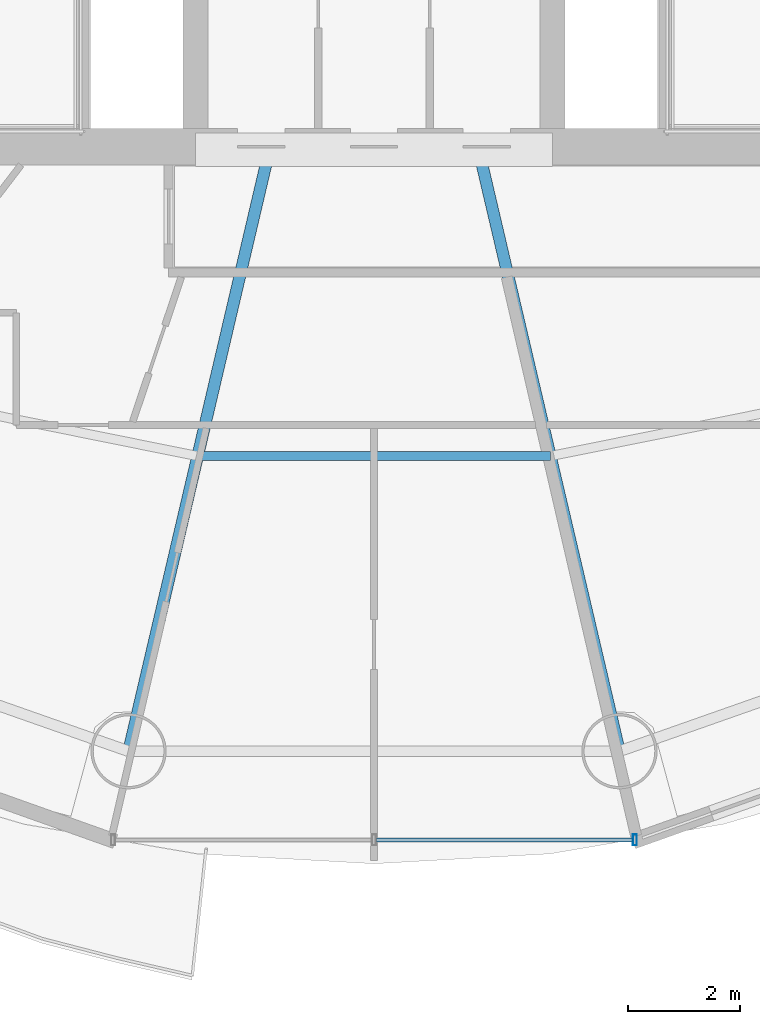
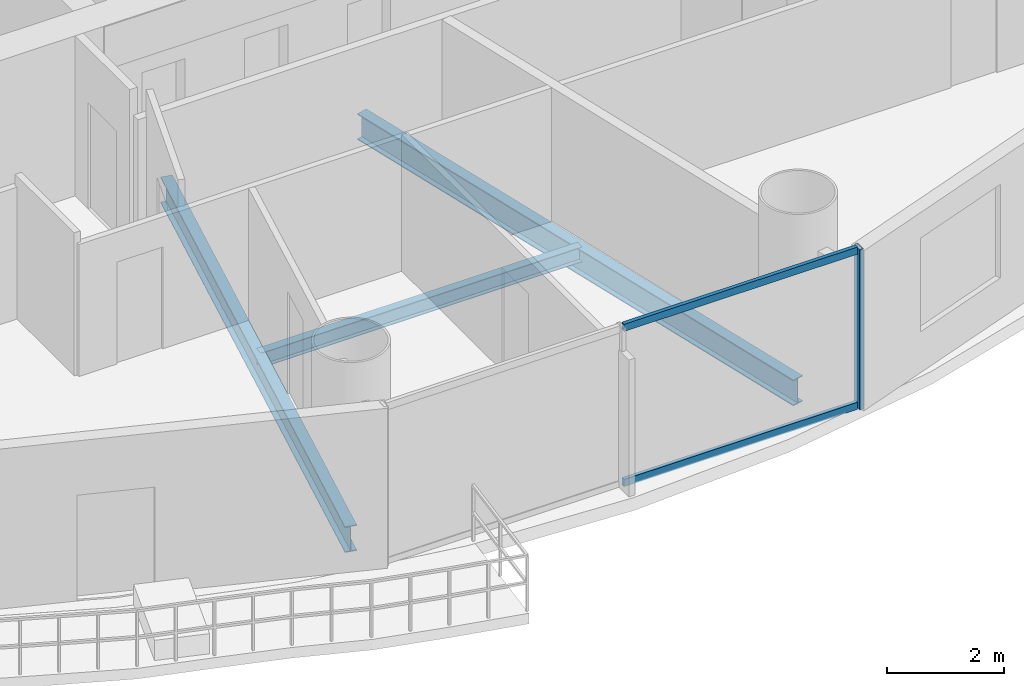
# One storey, part 5 of 26: 3 beams, 3 members, 1 element without a shape of its own.
"""IFC4 building model written with IfcOpenShell, lengths in metres."""

from ifc_helpers import new_model, si_unit, direction, frame, origin, origin_2d, place, context, subcontext, project, spatial, hollow_rectangle, i_section, extrude, source, transform, mapped, material, material_profile, profile_set, type_object, element, aggregate, save


model = new_model("IFC4")

# Units and contexts
model_context = context("Model", 3, precision=1e-05, world=origin(), true_north=direction((-0.2419218956, 0.970295726276)))
body_context = subcontext(model_context, "Body", "Model", "MODEL_VIEW")
ifc_project = project(units=[si_unit("LENGTHUNIT", "METRE"), si_unit("AREAUNIT", "SQUARE_METRE"), si_unit("VOLUMEUNIT", "CUBIC_METRE"), si_unit("PLANEANGLEUNIT", "RADIAN"), si_unit("MASSUNIT", "GRAM", prefix="KILO")], contexts=[model_context])

# Site, building, storey
site_placement = place(None, origin())
site = spatial("IfcSite", under=ifc_project, at=site_placement, CompositionType="ELEMENT")
building_placement = place(site_placement, origin())
building = spatial("IfcBuilding", under=site, at=building_placement, Name="Cobrevalo Terracotta Tower", CompositionType="ELEMENT")
storey_placement = place(building_placement, frame((0.0, 0.0, 139.0)))
storey = spatial("IfcBuildingStorey", under=building, at=storey_placement, Name="L36", CompositionType="ELEMENT", Elevation=139.0)

# Beams
ifc_material_1 = material(Name="Steel S355", Category="steel")
ifc_material_profile_1 = material_profile(ifc_material_1, i_section(OverallWidth=0.2109375, OverallDepth=0.5390625, WebThickness=0.01171875, FlangeThickness=0.018798828125, at=origin_2d()), Name="W 530x109")
ifc_profile_set_1 = profile_set([ifc_material_profile_1], Name="Steel S355")
beam_type_1 = type_object("IfcBeamType", Name="Structural Beam W 530x109 (Steel S355)", PredefinedType="BEAM", material=ifc_profile_set_1)
for number, where, z_axis, x_axis, name in (
    (1, (33.600830078125, 8.01806640625, -0.53955078125), (0.228045854186, 0.973650393308, 0.0), (-0.973650393308, 0.228045854186, 0.0), "L36 radial floor girder 12"),
    (2, (42.399169921875, 8.01806640625, -0.53955078125), (-0.228045854186, 0.973650393308, 0.0), (-0.973650393308, -0.228045854186, 0.0), "L36 radial floor girder 13"),
):
    element("IfcBeam", number, at=place(storey_placement, frame(where, z_axis=z_axis, x_axis=x_axis)), inside=storey, type_object=beam_type_1, Name=name, PredefinedType="BEAM", context=body_context, shape_type="SweptSolid", body=[
        extrude(i_section(OverallWidth=0.2109375, OverallDepth=0.5390625, WebThickness=0.01171875, FlangeThickness=0.018798828125, at=origin_2d()), origin(), (0.0, 0.0, 1.0), 10.863037109375),
    ])
ifc_material_profile_2 = material_profile(ifc_material_1, i_section(OverallWidth=0.1650390625, OverallDepth=0.31005859375, WebThickness=0.005859375, FlangeThickness=0.009765625, at=origin_2d()), Name="W 310x38.7")
ifc_profile_set_2 = profile_set([ifc_material_profile_2], Name="Steel S355")
beam_type_2 = type_object("IfcBeamType", Name="Structural Joist W 310x38.7 (Steel S355)", PredefinedType="JOIST", material=ifc_profile_set_2)
beam_placement = place(storey_placement, frame((34.83935546875, 13.306396484375, -0.425048828125), z_axis=(1.0, 0.0, 0.0), x_axis=(0.0, 1.0, 0.0)))
element("IfcBeam", 3, at=beam_placement, inside=storey, type_object=beam_type_2, Name="L36 circumferential secondary floor joist 12", PredefinedType="JOIST", context=body_context, shape_type="SweptSolid", body=[
    extrude(i_section(OverallWidth=0.1650390625, OverallDepth=0.31005859375, WebThickness=0.005859375, FlangeThickness=0.009765625, at=origin_2d()), origin(), (0.0, 0.0, 1.0), 6.3212890625),
])

# Curtain wall, members
ifc_material_2 = material(Name="Anodized aluminium", Category="aluminium")
curtain_wall_type = type_object("IfcCurtainWallType", Name="Mid-tower high-wind unitised curtain wall CW-U2", PredefinedType="NOTDEFINED", material=ifc_material_2)
curtain_wall_placement = place(storey_placement, origin())
curtain_wall = element("IfcCurtainWall", 4, at=curtain_wall_placement, inside=storey, type_object=curtain_wall_type, Name="L36 curtain wall CW-L36-S12", PredefinedType="NOTDEFINED")
ifc_material_profile_3 = material_profile(ifc_material_2, hollow_rectangle(XDim=0.074951171875, YDim=0.199951171875, WallThickness=0.0048828125, at=origin_2d()), Name="CWM 75x200")
ifc_profile_set_3 = profile_set([ifc_material_profile_3], Name="Anodized aluminium")
member_type_1 = type_object("IfcMemberType", Name="Lower/mid tower unitised mullion 75x200", PredefinedType="MULLION", material=ifc_profile_set_3)
shared_shape_1 = source(origin(), body_context, "Body", "SweptSolid", [
    extrude(hollow_rectangle(XDim=0.074951171875, YDim=0.199951171875, WallThickness=0.0048828125, at=origin_2d()), origin(), (0.0, 0.0, 1.0), 3.330078125),
])
member_1_placement = place(storey_placement, frame((42.67529296875, 6.42919921875, 0.0), z_axis=(0.0, 0.0, 1.0), x_axis=(1.0, 0.0, 0.0)))
member_1 = element("IfcMember", 5, at=member_1_placement, type_object=member_type_1, Name="CW-L36-S12 vertical mullion 03", PredefinedType="MULLION", context=body_context, shape_type="MappedRepresentation", body=[
    mapped(shared_shape_1, transform((0.0, 0.0, 0.0), scale=1.0)),
])
ifc_material_profile_4 = material_profile(ifc_material_2, hollow_rectangle(XDim=0.074951171875, YDim=0.14990234375, WallThickness=0.00439453125, at=origin_2d()), Name="CWT 75x150")
ifc_profile_set_4 = profile_set([ifc_material_profile_4], Name="Anodized aluminium")
member_type_2 = type_object("IfcMemberType", Name="Tower unitised aluminium transom 75x150", PredefinedType="USERDEFINED", material=ifc_profile_set_4)
shared_shape_2 = source(origin(), body_context, "Body", "SweptSolid", [
    extrude(hollow_rectangle(XDim=0.074951171875, YDim=0.14990234375, WallThickness=0.00439453125, at=origin_2d()), origin(), (0.0, 0.0, 1.0), 4.59521484375),
])
member_2_placement = place(storey_placement, frame((38.0400390625, 6.42919921875, 0.050048828125), z_axis=(1.0, 0.0, 0.0), x_axis=(0.0, 1.0, 0.0)))
member_2 = element("IfcMember", 6, at=member_2_placement, type_object=member_type_2, Name="CW-L36-S12 transom B02-T1", ObjectType="TRANSOM", PredefinedType="USERDEFINED", context=body_context, shape_type="MappedRepresentation", body=[
    mapped(shared_shape_2, transform((0.0, 0.0, 0.0), scale=1.0)),
])
member_3_placement = place(storey_placement, frame((38.0400390625, 6.42919921875, 3.280029296875), z_axis=(1.0, 0.0, 0.0), x_axis=(0.0, 1.0, 0.0)))
member_3 = element("IfcMember", 7, at=member_3_placement, type_object=member_type_2, Name="CW-L36-S12 transom B02-T2", ObjectType="TRANSOM", PredefinedType="USERDEFINED", context=body_context, shape_type="MappedRepresentation", body=[
    mapped(shared_shape_2, transform((0.0, 0.0, 0.0), scale=1.0)),
])
aggregate(curtain_wall, [member_1, member_2, member_3])

save(model, "model.ifc")
